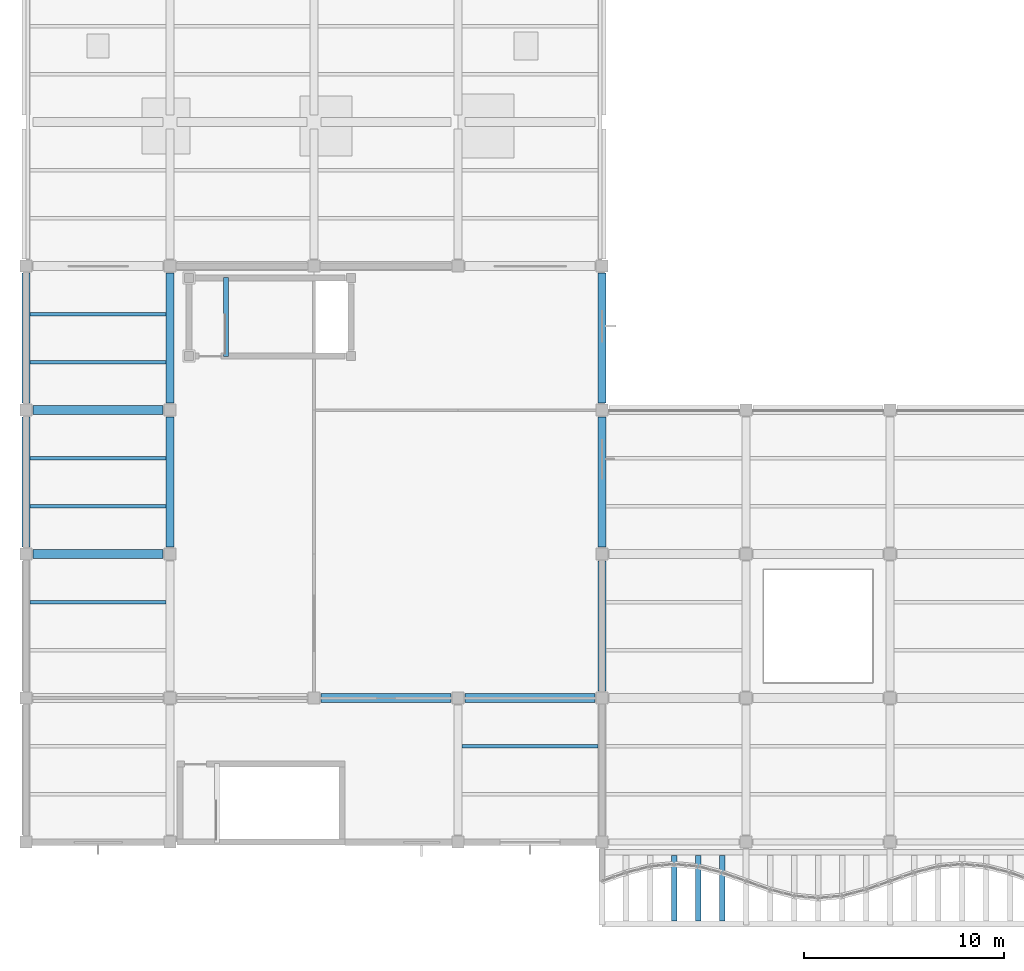
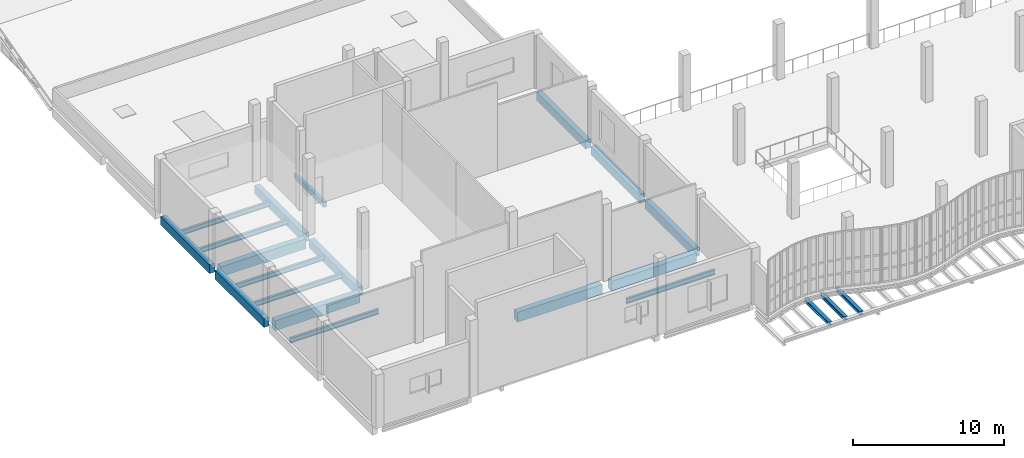
# One storey, part 8 of 105: 21 beams.
"""IFC4 building model written with IfcOpenShell, lengths in metres."""

from ifc_helpers import new_model, si_unit, direction, frame, origin, origin_2d, place, context, subcontext, project, spatial, rectangle, i_section, extrude, material, material_profile, profile_set, type_object, element, save


model = new_model("IFC4")

# Units and contexts
model_context = context("Model", 3, precision=1e-05, world=origin(), true_north=direction((0.0, 1.0)))
body_context = subcontext(model_context, "Body", "Model", "MODEL_VIEW")
ifc_project = project(units=[si_unit("LENGTHUNIT", "METRE"), si_unit("AREAUNIT", "SQUARE_METRE"), si_unit("VOLUMEUNIT", "CUBIC_METRE"), si_unit("PLANEANGLEUNIT", "RADIAN"), si_unit("MASSUNIT", "GRAM", prefix="KILO"), si_unit("THERMODYNAMICTEMPERATUREUNIT", "KELVIN"), si_unit("POWERUNIT", "WATT")], contexts=[model_context])

# Site, building, storey
site_placement = place(None, origin())
site = spatial("IfcSite", under=ifc_project, at=site_placement, CompositionType="ELEMENT")
building_placement = place(site_placement, origin())
building = spatial("IfcBuilding", under=site, at=building_placement, Name="Kaldorven Railside Theatre", CompositionType="ELEMENT")
storey_placement = place(building_placement, frame((0.0, 0.0, 9.89990234375)))
storey = spatial("IfcBuildingStorey", under=building, at=storey_placement, Name="L02", CompositionType="ELEMENT", Elevation=9.89990234375)

# Beams
ifc_material_1 = material(Name="Steel S355", Category="steel")
ifc_material_profile_1 = material_profile(ifc_material_1, i_section(OverallWidth=0.280029296875, OverallDepth=0.280029296875, WebThickness=0.010498046875, FlangeThickness=0.01806640625, at=origin_2d()), Name="HEB 280")
ifc_profile_set_1 = profile_set([ifc_material_profile_1], Name="Steel S355")
beam_type_1 = type_object("IfcBeamType", Name="BM-HEB280", PredefinedType="SPANDREL", material=ifc_profile_set_1)
for number, where, z_axis, x_axis, name in (
    (1, (40.39990234375, 15.260009765625, -0.699951171875), (0.0, 1.0, 0.0), (-1.0, 0.0, 0.0), "L02 Sinusoidal Diaphragm Rib Outrigger FOB-M076"),
    (2, (41.60009765625, 15.260009765625, -0.699951171875), (0.0, 1.0, 0.0), (-1.0, 0.0, 0.0), "L02 Sinusoidal Diaphragm Rib Outrigger FOB-M077"),
    (3, (42.800048828125, 15.260009765625, -0.699951171875), (0.0, 1.0, 0.0), (-1.0, 0.0, 0.0), "L02 Sinusoidal Diaphragm Rib Outrigger FOB-M078"),
):
    element("IfcBeam", number, at=place(storey_placement, frame(where, z_axis=z_axis, x_axis=x_axis)), inside=storey, type_object=beam_type_1, Name=name, PredefinedType="SPANDREL", context=body_context, shape_type="SweptSolid", body=[
        extrude(i_section(OverallWidth=0.280029296875, OverallDepth=0.280029296875, WebThickness=0.010498046875, FlangeThickness=0.01806640625, at=origin_2d()), origin(), (0.0, 0.0, 1.0), 3.280029296875),
    ])
ifc_material_profile_2 = material_profile(ifc_material_1, i_section(OverallWidth=0.179931640625, OverallDepth=0.39990234375, WebThickness=0.008544921875, FlangeThickness=0.013427734375, at=origin_2d()), Name="IPE 400")
ifc_profile_set_2 = profile_set([ifc_material_profile_2], Name="Steel S355")
beam_type_2 = type_object("IfcBeamType", Name="BM-IPE400", PredefinedType="JOIST", material=ifc_profile_set_2)
for number, where, z_axis, x_axis, name in (
    (4, (29.800048828125, 24.0, -0.449951171875), (1.0, 0.0, 0.0), (0.0, 1.0, 0.0), "L02 Secondary Floor Joist JG-L02-029-0240"),
    (5, (8.199951171875, 31.199951171875, -0.449951171875), (1.0, 0.0, 0.0), (0.0, 1.0, 0.0), "L02 Secondary Floor Joist JG-L02-008-0312"),
    (6, (8.199951171875, 36.0, -0.449951171875), (1.0, 0.0, 0.0), (0.0, 1.0, 0.0), "L02 Secondary Floor Joist JG-L02-008-0360"),
    (7, (8.199951171875, 38.39990234375, -0.449951171875), (1.0, 0.0, 0.0), (0.0, 1.0, 0.0), "L02 Secondary Floor Joist JG-L02-008-0384"),
    (8, (8.199951171875, 43.199951171875, -0.449951171875), (1.0, 0.0, 0.0), (0.0, 1.0, 0.0), "L02 Secondary Floor Joist JG-L02-008-0432"),
    (9, (8.199951171875, 45.60009765625, -0.449951171875), (1.0, 0.0, 0.0), (0.0, 1.0, 0.0), "L02 Secondary Floor Joist JG-L02-008-0456"),
):
    element("IfcBeam", number, at=place(storey_placement, frame(where, z_axis=z_axis, x_axis=x_axis)), inside=storey, type_object=beam_type_2, Name=name, PredefinedType="JOIST", context=body_context, shape_type="SweptSolid", body=[
        extrude(i_section(OverallWidth=0.179931640625, OverallDepth=0.39990234375, WebThickness=0.008544921875, FlangeThickness=0.013427734375, at=origin_2d()), origin(), (0.0, 0.0, 1.0), 6.800048828125),
    ])
ifc_material_2 = material(Name="Concrete C40/50", Category="concrete")
ifc_material_profile_3 = material_profile(ifc_material_2, rectangle(XDim=0.25, YDim=0.39990234375, at=origin_2d()), Name="RC 250x400")
ifc_profile_set_3 = profile_set([ifc_material_profile_3], Name="Concrete C40/50")
beam_type_3 = type_object("IfcBeamType", Name="BM-RC250x400", PredefinedType="LINTEL", material=ifc_profile_set_3)
beam_placement = place(storey_placement, frame((18.0, 43.469970703125, -0.344970703125), z_axis=(0.0, 1.0, 0.0), x_axis=(-1.0, 0.0, 0.0)))
element("IfcBeam", 10, at=beam_placement, inside=storey, type_object=beam_type_3, Name="Stair ST-02 L02 Landing Trimmer Beam", PredefinedType="LINTEL", context=body_context, shape_type="SweptSolid", body=[
    extrude(rectangle(XDim=0.25, YDim=0.39990234375, at=origin_2d()), origin(), (0.0, 0.0, 1.0), 3.9599609375),
])
ifc_material_profile_4 = material_profile(ifc_material_2, rectangle(XDim=0.39990234375, YDim=0.699951171875, at=origin_2d()), Name="RC 400x700")
ifc_profile_set_4 = profile_set([ifc_material_profile_4], Name="Concrete C40/50")
beam_type_4 = type_object("IfcBeamType", Name="BM-RC400x700", PredefinedType="BEAM", material=ifc_profile_set_4)
for number, where, z_axis, x_axis, name in (
    (11, (36.800048828125, 26.75, -0.6298828125), (0.0, 1.0, 0.0), (-1.0, 0.0, 0.0), "L02 Girder BGY-L02-036-026-72"),
    (12, (8.0, 33.949951171875, -0.599853515625), (0.0, 1.0, 0.0), (-1.0, 0.0, 0.0), "L02 Girder BGY-L02-008-033-72"),
    (13, (15.199951171875, 33.949951171875, -0.599853515625), (0.0, 1.0, 0.0), (-1.0, 0.0, 0.0), "L02 Girder BGY-L02-015-033-72"),
    (14, (36.800048828125, 33.949951171875, -0.6298828125), (0.0, 1.0, 0.0), (-1.0, 0.0, 0.0), "L02 Girder BGY-L02-036-033-72"),
    (15, (8.0, 41.14990234375, -0.599853515625), (0.0, 1.0, 0.0), (-1.0, 0.0, 0.0), "L02 Girder BGY-L02-008-040-72"),
    (16, (15.199951171875, 41.14990234375, -0.599853515625), (0.0, 1.0, 0.0), (-1.0, 0.0, 0.0), "L02 Girder BGY-L02-015-040-72"),
    (17, (36.800048828125, 41.14990234375, -0.599853515625), (0.0, 1.0, 0.0), (-1.0, 0.0, 0.0), "L02 Girder BGY-L02-036-040-72"),
):
    element("IfcBeam", number, at=place(storey_placement, frame(where, z_axis=z_axis, x_axis=x_axis)), inside=storey, type_object=beam_type_4, Name=name, PredefinedType="BEAM", context=body_context, shape_type="SweptSolid", body=[
        extrude(rectangle(XDim=0.39990234375, YDim=0.699951171875, at=origin_2d()), origin(), (0.0, 0.0, 1.0), 6.5),
    ])
ifc_material_profile_5 = material_profile(ifc_material_2, rectangle(XDim=0.449951171875, YDim=0.800048828125, at=origin_2d()), Name="RC 450x800")
ifc_profile_set_5 = profile_set([ifc_material_profile_5], Name="Concrete C40/50")
beam_type_5 = type_object("IfcBeamType", Name="BM-RC450x800", PredefinedType="BEAM", material=ifc_profile_set_5)
for number, where, z_axis, x_axis, name in (
    (18, (22.75, 26.39990234375, -0.64990234375), (1.0, 0.0, 0.0), (0.0, 1.0, 0.0), "L02 Girder BGX-L02-022-026"),
    (19, (29.949951171875, 26.39990234375, -0.64990234375), (1.0, 0.0, 0.0), (0.0, 1.0, 0.0), "L02 Girder BGX-L02-029-026"),
    (20, (8.35009765625, 33.60009765625, -0.64990234375), (1.0, 0.0, 0.0), (0.0, 1.0, 0.0), "L02 Girder BGX-L02-008-033"),
    (21, (8.35009765625, 40.800048828125, -0.64990234375), (1.0, 0.0, 0.0), (0.0, 1.0, 0.0), "L02 Girder BGX-L02-008-040"),
):
    element("IfcBeam", number, at=place(storey_placement, frame(where, z_axis=z_axis, x_axis=x_axis)), inside=storey, type_object=beam_type_5, Name=name, PredefinedType="BEAM", context=body_context, shape_type="SweptSolid", body=[
        extrude(rectangle(XDim=0.449951171875, YDim=0.800048828125, at=origin_2d()), origin(), (0.0, 0.0, 1.0), 6.5),
    ])

save(model, "model.ifc")
